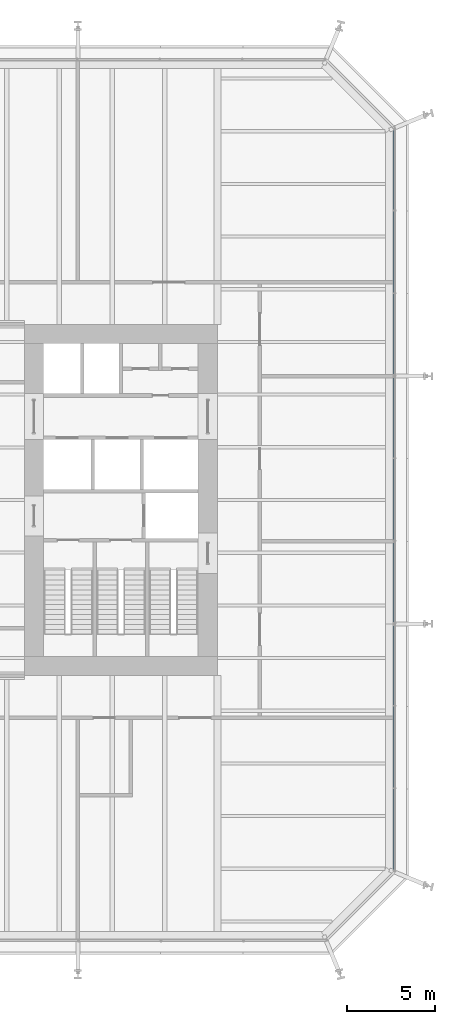
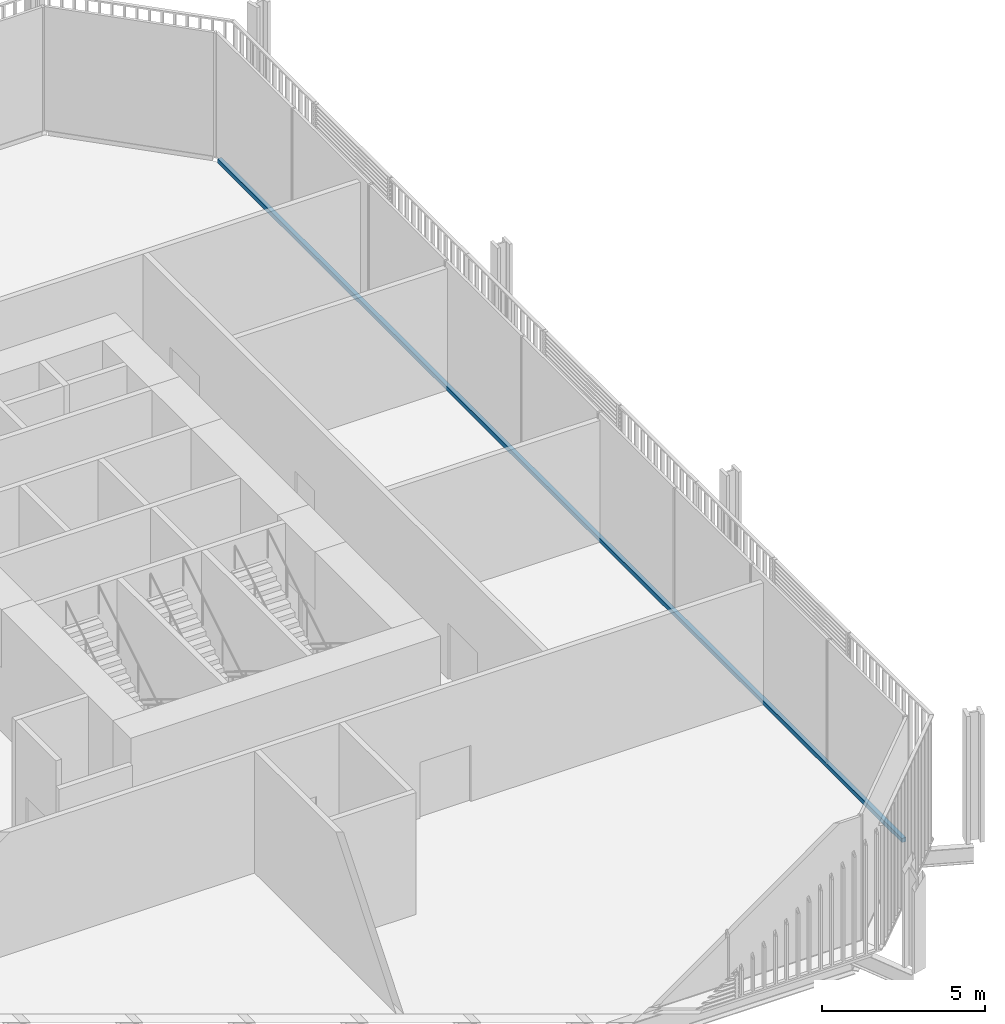
# One storey, part 10 of 22: 1 member, 1 element without a shape of its own.
"""IFC4 building model written with IfcOpenShell, lengths in metres."""

from ifc_helpers import new_model, si_unit, direction, frame, origin, origin_2d, place, context, subcontext, project, spatial, rectangle, extrude, material, layer, layer_set, material_profile, profile_set, type_object, element, aggregate, save


model = new_model("IFC4")

# Units and contexts
model_context = context("Model", 3, precision=1e-05, world=origin(), true_north=direction((0.0, 1.0)))
body_context = subcontext(model_context, "Body", "Model", "MODEL_VIEW")
ifc_project = project(units=[si_unit("LENGTHUNIT", "METRE"), si_unit("AREAUNIT", "SQUARE_METRE"), si_unit("VOLUMEUNIT", "CUBIC_METRE"), si_unit("PLANEANGLEUNIT", "RADIAN"), si_unit("MASSUNIT", "GRAM", prefix="KILO")], contexts=[model_context])

# Site, building, storey
site_placement = place(None, origin())
site = spatial("IfcSite", under=ifc_project, at=site_placement, CompositionType="ELEMENT")
building_placement = place(site_placement, origin())
building = spatial("IfcBuilding", under=site, at=building_placement, Name="Millrace Tower", CompositionType="ELEMENT")
storey_placement = place(building_placement, frame((0.0, 0.0, 49.699951171875)))
storey = spatial("IfcBuildingStorey", under=building, at=storey_placement, Name="L11", CompositionType="ELEMENT", Elevation=49.699951171875)

# Curtain wall, member
ifc_material_1 = material(Name="Aluminium and glass", Category="aluminium")
ifc_layer = layer(ifc_material_1, 0.14990234375)
ifc_layer_set = layer_set([ifc_layer], Name="Aluminium and glass")
curtain_wall_type = type_object("IfcCurtainWallType", Name="CW-2 data hall insulated curtain wall", PredefinedType="NOTDEFINED", material=ifc_layer_set)
curtain_wall_placement = place(storey_placement, origin())
curtain_wall = element("IfcCurtainWall", 1, at=curtain_wall_placement, inside=storey, type_object=curtain_wall_type, Name="Curtain wall A-F04 L11", PredefinedType="NOTDEFINED")
ifc_material_2 = material(Name="Aluminium", Category="aluminium")
ifc_material_profile = material_profile(ifc_material_2, rectangle(XDim=0.14990234375, YDim=0.159912109375, at=origin_2d()))
ifc_profile_set = profile_set([ifc_material_profile], Name="Aluminium")
member_type = type_object("IfcMemberType", Name="CW-2 data hall insulated curtain wall transom", PredefinedType="USERDEFINED", material=ifc_profile_set)
member_placement = place(storey_placement, frame((25.074951171875, -21.050048828125, 0.080078125), z_axis=(0.0, 1.0, 0.0), x_axis=(-1.0, 0.0, 0.0)))
member = element("IfcMember", 2, at=member_placement, type_object=member_type, Name="CW2 transom A-F04.1", ObjectType="TRANSOM", PredefinedType="USERDEFINED", context=body_context, shape_type="SweptSolid", body=[
    extrude(rectangle(XDim=0.14990234375, YDim=0.159912109375, at=origin_2d()), origin(), (0.0, 0.0, 1.0), 42.10009765625),
])
aggregate(curtain_wall, [member])

save(model, "model.ifc")
